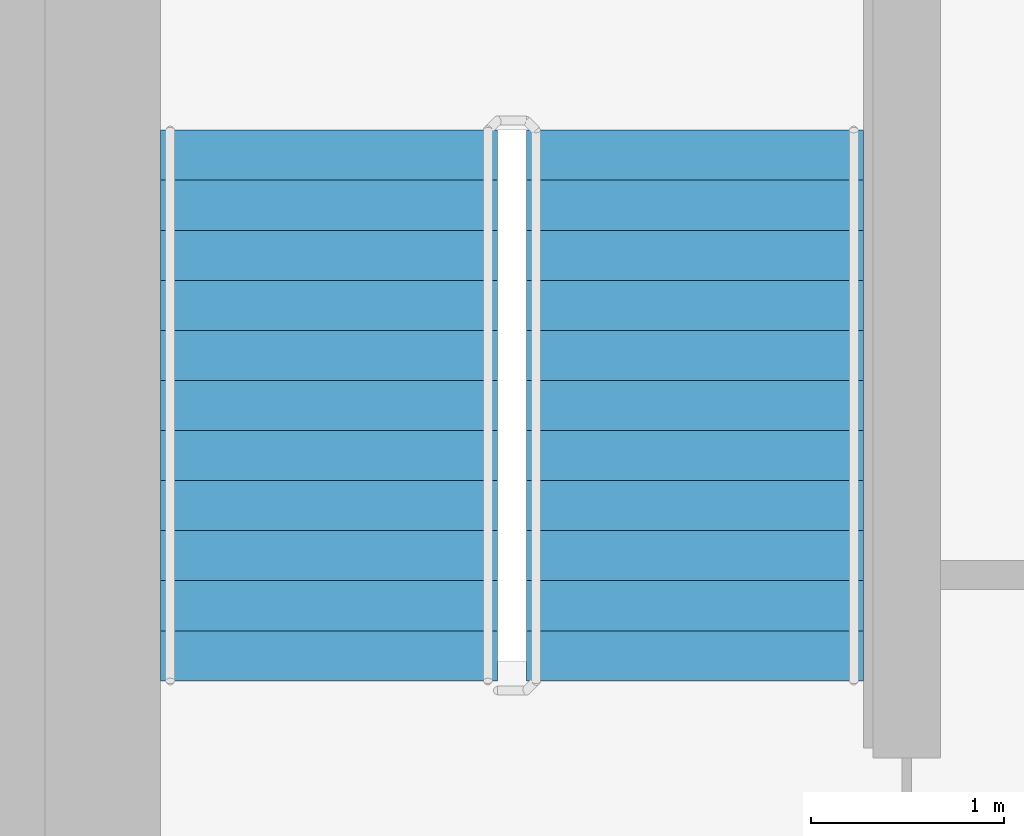
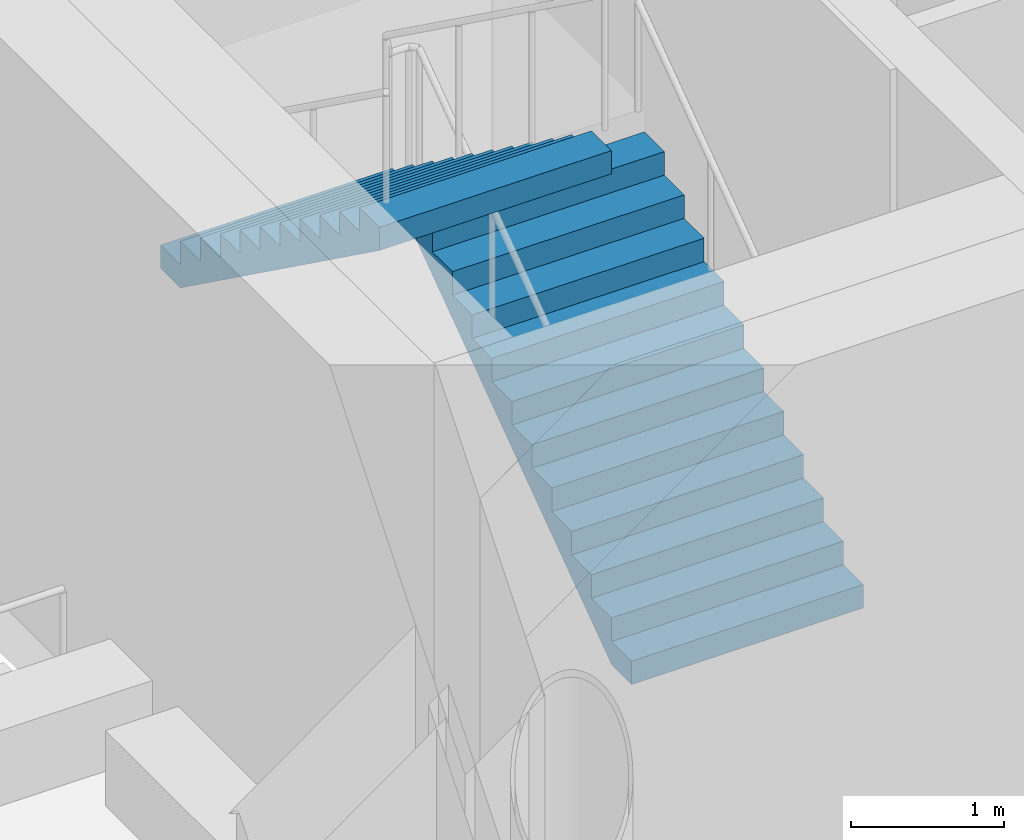
# One storey, part 15 of 19: 2 stair flights, 1 element without a shape of its own.
"""IFC4 building model written with IfcOpenShell, lengths in metres."""

import ifcopenshell
import ifcopenshell.guid

model = None  # the IFC model being written
_history = None  # IfcOwnerHistory: only IFC2X3 demands one
_inside = {}  # id of a spatial element -> (the spatial element, [elements in it])
_under = {}  # id of a project, library or spatial element -> (it, [spatial elements below it])
_declared = {}  # id of a project -> (the project, [libraries it declares])
_typed = {}  # id of a type object -> (the type object, [elements of that type])
_made_of = {}  # id of a material, layer set ... -> (it, [elements and type objects made of it])


def new_model(schema):
    """Start an empty IFC model of exactly this schema.

    Asked for "IFC4X3", IfcOpenShell would pick the latest addendum, in which some entities
    have other attributes; the version numbers below select the first issue.
    IFC2X3 requires an IfcOwnerHistory on every rooted entity: one is made here for all.
    """
    global model, _history
    if schema == "IFC4X3":
        model = ifcopenshell.file(schema_version=(4, 3, 0, 0))
    else:
        model = ifcopenshell.file(schema=schema)
    _inside.clear()
    _under.clear()
    _declared.clear()
    _typed.clear()
    _made_of.clear()
    _history = None
    if model.schema == "IFC2X3":
        org = make("IfcOrganization", Name="unknown")
        user = make(
            "IfcPersonAndOrganization",
            ThePerson=make("IfcPerson", FamilyName="unknown"),
            TheOrganization=org,
        )
        app = make(
            "IfcApplication",
            ApplicationDeveloper=org,
            Version="unknown",
            ApplicationFullName="unknown",
            ApplicationIdentifier="unknown",
        )
        _history = make(
            "IfcOwnerHistory",
            OwningUser=user,
            OwningApplication=app,
            ChangeAction="ADDED",
            CreationDate=0,
        )
    return model


def make(cls, **values):
    """One entity of the class cls with the attributes given. An attribute that is None is left unset."""
    return model.create_entity(
        cls, **{name: value for name, value in values.items() if value is not None}
    )


def rooted(cls, **values):
    """An entity with a GlobalId (a new one), such as an element, a storey or a relation."""
    return make(cls, GlobalId=ifcopenshell.guid.new(), OwnerHistory=_history, **values)


def si_unit(unit_type, name, prefix=None):
    """IfcSIUnit, for example si_unit("LENGTHUNIT", "METRE", prefix="MILLI")."""
    return make("IfcSIUnit", UnitType=unit_type, Prefix=prefix, Name=name)


def assignment(units):
    """IfcUnitAssignment: the units of a project."""
    return None if units is None else make("IfcUnitAssignment", Units=units)


def point(xyz):
    """IfcCartesianPoint."""
    return None if xyz is None else make("IfcCartesianPoint", Coordinates=xyz)


def direction(xyz):
    """IfcDirection."""
    return None if xyz is None else make("IfcDirection", DirectionRatios=xyz)


def frame(location, z_axis=None, x_axis=None):
    """IfcAxis2Placement3D, a coordinate frame: its origin and axes. An axis left out is left unset."""
    return make(
        "IfcAxis2Placement3D",
        Location=point(location),
        Axis=direction(z_axis),
        RefDirection=direction(x_axis),
    )


def origin():
    """The frame at (0, 0, 0) with its axes left unset."""
    return frame((0.0, 0.0, 0.0))


def place(relative_to, where):
    """IfcLocalPlacement: puts the frame where relative to a parent placement (None: the world)."""
    return make(
        "IfcLocalPlacement", PlacementRelTo=relative_to, RelativePlacement=where
    )


def context(
    kind, dimensions, precision=None, world=None, true_north=None, identifier=None
):
    """IfcGeometricRepresentationContext, for example the 3D "Model" context."""
    return make(
        "IfcGeometricRepresentationContext",
        ContextIdentifier=identifier,
        ContextType=kind,
        CoordinateSpaceDimension=dimensions,
        Precision=precision,
        WorldCoordinateSystem=world,
        TrueNorth=true_north,
    )


def subcontext(parent, identifier, kind, view, scale=None):
    """IfcGeometricRepresentationSubContext, for example "Body" below "Model"."""
    return make(
        "IfcGeometricRepresentationSubContext",
        ContextIdentifier=identifier,
        ContextType=kind,
        ParentContext=parent,
        TargetScale=scale,
        TargetView=view,
    )


def project(units=None, contexts=None):
    """IfcProject with its units and contexts."""
    return rooted(
        "IfcProject",
        Name="project",
        RepresentationContexts=contexts,
        UnitsInContext=assignment(units),
    )


def spatial(cls, under=None, at=None, **own):
    """A site, building, storey or space (cls), placed at a placement, below another one or the project."""
    s = rooted(cls, ObjectPlacement=at, **own)
    if under is not None:
        _under.setdefault(under.id(), (under, []))[1].append(s)
    return s


def faces_of(points, faces, orient=None, outer=None):
    """IfcFace entities. A face is a list of loops; a loop is a list of indices into points, from 0.

    orient and outer hold one flag for each loop. By default every Orientation is true, the
    first loop of a face is its IfcFaceOuterBound and the others are IfcFaceBound.
    """
    made = []
    for i, loops in enumerate(faces):
        bounds = []
        for j, loop in enumerate(loops):
            is_outer = j == 0 if outer is None else outer[i][j]
            bounds.append(
                make(
                    "IfcFaceOuterBound" if is_outer else "IfcFaceBound",
                    Bound=make("IfcPolyLoop", Polygon=[points[k] for k in loop]),
                    Orientation=True if orient is None else orient[i][j],
                )
            )
        made.append(make("IfcFace", Bounds=bounds))
    return made


def faceted_brep(points, faces, orient=None, outer=None, voids=None):
    """IfcFacetedBrep: a solid bounded by flat faces; with voids (closed shells), ...WithVoids."""
    shared = [point(p) for p in points]
    hull = make("IfcClosedShell", CfsFaces=faces_of(shared, faces, orient, outer))
    if voids is None:
        return make("IfcFacetedBrep", Outer=hull)
    return make(
        "IfcFacetedBrepWithVoids",
        Outer=hull,
        Voids=[
            make(cls, CfsFaces=faces_of(shared, fs, o, b)) for cls, fs, o, b in voids
        ],
    )


def shape(context_of_items, identifier, shape_type, items):
    """IfcShapeRepresentation: the items that make up one representation, for example the "Body"."""
    return make(
        "IfcShapeRepresentation",
        ContextOfItems=context_of_items,
        RepresentationIdentifier=identifier,
        RepresentationType=shape_type,
        Items=items,
    )


def material(Name=None, Category=None):
    """IfcMaterial."""
    return make("IfcMaterial", Name=Name, Category=Category)


def made_of(thing, what):
    """Note that an element or type object is made of a material, layer set ...; save() writes the relation."""
    if what is not None:
        _made_of.setdefault(what.id(), (what, []))[1].append(thing)
    return thing


def type_object(cls, material=None, **own):
    """A type object (cls), such as IfcWallType, which elements share."""
    return made_of(rooted(cls, **own), material)


def element(
    cls,
    number,
    at=None,
    inside=None,
    cuts=None,
    type_object=None,
    material=None,
    context=None,
    identifier="Body",
    shape_type=None,
    held_by="IfcProductDefinitionShape",
    body=None,
    shapes=None,
    **own,
):
    """One element of the class cls, such as IfcWall. Its Tag is "e" and its number.

    at: its placement. inside: the storey or other place that contains it. cuts: it is an
    opening in that element (IfcRelVoidsElement). A single representation is given by context,
    identifier, shape_type and body (its items); several are given by shapes. held_by: the class
    of the entity that holds the representations. save() writes the other relations.
    """
    e = rooted(cls, Tag="e%d" % number, ObjectPlacement=at, **own)
    if body is not None:
        shapes = [shape(context, identifier, shape_type, body)]
    if shapes is not None:
        e.Representation = make(held_by, Representations=shapes)
    if inside is not None:
        _inside.setdefault(inside.id(), (inside, []))[1].append(e)
    if cuts is not None:
        rooted(
            "IfcRelVoidsElement", RelatingBuildingElement=cuts, RelatedOpeningElement=e
        )
    if type_object is not None:
        _typed.setdefault(type_object.id(), (type_object, []))[1].append(e)
    return made_of(e, material)


def aggregate(whole, parts):
    """IfcRelAggregates: a whole, such as a stair, and the parts it consists of."""
    return rooted("IfcRelAggregates", RelatingObject=whole, RelatedObjects=parts)


def save(model, path):
    """Write the relations noted so far, then the file.

    IfcRelAggregates (storeys below a building ...), IfcRelContainedInSpatialStructure (elements
    in a storey), IfcRelDefinesByType, IfcRelAssociatesMaterial and IfcRelDeclares: one each for
    every whole, place, type object, material and project.
    """
    for whole, parts in _under.values():
        aggregate(whole, parts)
    for where, things in _inside.values():
        rooted(
            "IfcRelContainedInSpatialStructure",
            RelatedElements=things,
            RelatingStructure=where,
        )
    for kind, things in _typed.values():
        rooted("IfcRelDefinesByType", RelatedObjects=things, RelatingType=kind)
    for what, things in _made_of.values():
        rooted("IfcRelAssociatesMaterial", RelatedObjects=things, RelatingMaterial=what)
    for by, libraries in _declared.values():
        rooted("IfcRelDeclares", RelatingContext=by, RelatedDefinitions=libraries)
    model.write(path)


model = new_model("IFC4")

# Units and contexts
model_context = context("Model", 3, precision=1e-05, world=origin(), true_north=direction((0.0, 1.0)))
body_context = subcontext(model_context, "Body", "Model", "MODEL_VIEW")
ifc_project = project(units=[si_unit("LENGTHUNIT", "METRE"), si_unit("AREAUNIT", "SQUARE_METRE"), si_unit("VOLUMEUNIT", "CUBIC_METRE"), si_unit("PLANEANGLEUNIT", "RADIAN"), si_unit("MASSUNIT", "GRAM", prefix="KILO")], contexts=[model_context])

# Site, building, storey
site_placement = place(None, origin())
site = spatial("IfcSite", under=ifc_project, at=site_placement, CompositionType="ELEMENT")
building_placement = place(site_placement, origin())
building = spatial("IfcBuilding", under=site, at=building_placement, Name="Ipe Terrace Towers", CompositionType="ELEMENT")
storey_placement = place(building_placement, frame((0.0, 0.0, 237.89990234375)))
storey = spatial("IfcBuildingStorey", under=building, at=storey_placement, Name="L66", CompositionType="ELEMENT", Elevation=237.89990234375)

# Stair, stair flights
ifc_material_1 = material(Name="Concrete C30/37", Category="concrete")
stair_type = type_object("IfcStairType", Name="Protected exit stair", PredefinedType="HALF_TURN_STAIR", material=ifc_material_1)
stair_placement = place(storey_placement, origin())
stair = element("IfcStair", 1, at=stair_placement, inside=storey, type_object=stair_type, Name="L66 Exit stair T2-C1", PredefinedType="HALF_TURN_STAIR")
ifc_material_2 = material(Name="Concrete C30/37", Category="concrete")
stair_flight_type = type_object("IfcStairFlightType", Name="Exit stair flight 1750", PredefinedType="STRAIGHT", material=ifc_material_2)
stair_flight_1_placement = place(storey_placement, frame((33.22509765625, 9.699951171875, 0.0), z_axis=(0.0, 0.0, 1.0), x_axis=(0.0, 1.0, 0.0)))
stair_flight_1 = element("IfcStairFlight", 2, at=stair_flight_1_placement, type_object=stair_flight_type, Name="T2-ST1 flight 1", NumberOfRisers=12, NumberOfTreads=11, PredefinedType="STRAIGHT", RiserHeight=0.1875, TreadLength=0.26, context=body_context, shape_type="Brep", body=[
    faceted_brep([(0.25634765625, -0.875, 0.0), (2.860107421875, -0.875, 1.877685546875), (2.860107421875, -0.875, 2.0625), (2.60009765625, -0.875, 2.0625), (2.60009765625, -0.875, 1.875), (2.340087890625, -0.875, 1.875), (2.340087890625, -0.875, 1.6875), (2.080078125, -0.875, 1.6875), (2.080078125, -0.875, 1.5), (1.820068359375, -0.875, 1.5), (1.820068359375, -0.875, 1.3125), (1.56005859375, -0.875, 1.3125), (1.56005859375, -0.875, 1.125), (1.300048828125, -0.875, 1.125), (1.300048828125, -0.875, 0.9375), (1.0400390625, -0.875, 0.9375), (1.0400390625, -0.875, 0.75), (0.780029296875, -0.875, 0.75), (0.780029296875, -0.875, 0.5625), (0.52001953125, -0.875, 0.5625), (0.52001953125, -0.875, 0.375), (0.260009765625, -0.875, 0.375), (0.260009765625, -0.875, 0.1875), (0.0, -0.875, 0.1875), (0.0, -0.875, 0.0), (0.0, 0.875, 0.0), (0.0, 0.875, 0.1875), (0.260009765625, 0.875, 0.1875), (0.260009765625, 0.875, 0.375), (0.52001953125, 0.875, 0.375), (0.52001953125, 0.875, 0.5625), (0.780029296875, 0.875, 0.5625), (0.780029296875, 0.875, 0.75), (1.0400390625, 0.875, 0.75), (1.0400390625, 0.875, 0.9375), (1.300048828125, 0.875, 0.9375), (1.300048828125, 0.875, 1.125), (1.56005859375, 0.875, 1.125), (1.56005859375, 0.875, 1.3125), (1.820068359375, 0.875, 1.3125), (1.820068359375, 0.875, 1.5), (2.080078125, 0.875, 1.5), (2.080078125, 0.875, 1.6875), (2.340087890625, 0.875, 1.6875), (2.340087890625, 0.875, 1.875), (2.60009765625, 0.875, 1.875), (2.60009765625, 0.875, 2.0625), (2.860107421875, 0.875, 2.0625), (2.860107421875, 0.875, 1.877685546875), (0.25634765625, 0.875, 0.0), (0.0, -0.300048828125, 0.1875), (0.0, -0.1201171875, 0.1875), (0.0, -0.06005859375, 0.1875), (0.0, -0.030029296875, 0.1875), (0.0, -0.010009765625, 0.1875), (0.0, 0.0, 0.1875), (0.0, 0.010009765625, 0.1875), (0.0, 0.030029296875, 0.1875), (0.0, 0.06005859375, 0.1875), (0.0, 0.1201171875, 0.1875), (0.0, 0.300048828125, 0.1875), (0.0, 0.300048828125, 0.0), (0.0, 0.1201171875, 0.0), (0.0, 0.06005859375, 0.0), (0.0, 0.030029296875, 0.0), (0.0, 0.010009765625, 0.0), (0.0, 0.0, 0.0), (0.0, -0.010009765625, 0.0), (0.0, -0.030029296875, 0.0), (0.0, -0.06005859375, 0.0), (0.0, -0.1201171875, 0.0), (0.0, -0.300048828125, 0.0), (0.260009765625, -0.300048828125, 0.1875), (0.260009765625, -0.1201171875, 0.1875), (0.260009765625, -0.06005859375, 0.1875), (0.260009765625, -0.030029296875, 0.1875), (0.260009765625, -0.010009765625, 0.1875), (0.260009765625, 0.0, 0.1875), (0.260009765625, 0.010009765625, 0.1875), (0.260009765625, 0.030029296875, 0.1875), (0.260009765625, 0.06005859375, 0.1875), (0.260009765625, 0.1201171875, 0.1875), (0.260009765625, 0.300048828125, 0.1875), (0.260009765625, -0.300048828125, 0.375), (0.260009765625, -0.1201171875, 0.375), (0.260009765625, -0.06005859375, 0.375), (0.260009765625, -0.030029296875, 0.375), (0.260009765625, -0.010009765625, 0.375), (0.260009765625, 0.0, 0.375), (0.260009765625, 0.010009765625, 0.375), (0.260009765625, 0.030029296875, 0.375), (0.260009765625, 0.06005859375, 0.375), (0.260009765625, 0.1201171875, 0.375), (0.260009765625, 0.300048828125, 0.375), (0.52001953125, -0.300048828125, 0.375), (0.52001953125, -0.1201171875, 0.375), (0.52001953125, -0.06005859375, 0.375), (0.52001953125, -0.030029296875, 0.375), (0.52001953125, -0.010009765625, 0.375), (0.52001953125, 0.0, 0.375), (0.52001953125, 0.010009765625, 0.375), (0.52001953125, 0.030029296875, 0.375), (0.52001953125, 0.06005859375, 0.375), (0.52001953125, 0.1201171875, 0.375), (0.52001953125, 0.300048828125, 0.375), (0.52001953125, -0.300048828125, 0.5625), (0.52001953125, -0.1201171875, 0.5625), (0.52001953125, -0.06005859375, 0.5625), (0.52001953125, -0.030029296875, 0.5625), (0.52001953125, -0.010009765625, 0.5625), (0.52001953125, 0.0, 0.5625), (0.52001953125, 0.010009765625, 0.5625), (0.52001953125, 0.030029296875, 0.5625), (0.52001953125, 0.06005859375, 0.5625), (0.52001953125, 0.1201171875, 0.5625), (0.52001953125, 0.300048828125, 0.5625), (0.780029296875, -0.300048828125, 0.5625), (0.780029296875, -0.1201171875, 0.5625), (0.780029296875, -0.06005859375, 0.5625), (0.780029296875, -0.030029296875, 0.5625), (0.780029296875, -0.010009765625, 0.5625), (0.780029296875, 0.0, 0.5625), (0.780029296875, 0.010009765625, 0.5625), (0.780029296875, 0.030029296875, 0.5625), (0.780029296875, 0.06005859375, 0.5625), (0.780029296875, 0.1201171875, 0.5625), (0.780029296875, 0.300048828125, 0.5625), (0.780029296875, -0.300048828125, 0.75), (0.780029296875, -0.1201171875, 0.75), (0.780029296875, -0.06005859375, 0.75), (0.780029296875, -0.030029296875, 0.75), (0.780029296875, -0.010009765625, 0.75), (0.780029296875, 0.0, 0.75), (0.780029296875, 0.010009765625, 0.75), (0.780029296875, 0.030029296875, 0.75), (0.780029296875, 0.06005859375, 0.75), (0.780029296875, 0.1201171875, 0.75), (0.780029296875, 0.300048828125, 0.75), (1.0400390625, -0.300048828125, 0.75), (1.0400390625, -0.1201171875, 0.75), (1.0400390625, -0.06005859375, 0.75), (1.0400390625, -0.030029296875, 0.75), (1.0400390625, -0.010009765625, 0.75), (1.0400390625, 0.0, 0.75), (1.0400390625, 0.010009765625, 0.75), (1.0400390625, 0.030029296875, 0.75), (1.0400390625, 0.06005859375, 0.75), (1.0400390625, 0.1201171875, 0.75), (1.0400390625, 0.300048828125, 0.75), (1.0400390625, -0.300048828125, 0.9375), (1.0400390625, -0.1201171875, 0.9375), (1.0400390625, -0.06005859375, 0.9375), (1.0400390625, -0.030029296875, 0.9375), (1.0400390625, -0.010009765625, 0.9375), (1.0400390625, 0.0, 0.9375), (1.0400390625, 0.010009765625, 0.9375), (1.0400390625, 0.030029296875, 0.9375), (1.0400390625, 0.06005859375, 0.9375), (1.0400390625, 0.1201171875, 0.9375), (1.0400390625, 0.300048828125, 0.9375), (1.300048828125, -0.300048828125, 0.9375), (1.300048828125, -0.1201171875, 0.9375), (1.300048828125, -0.06005859375, 0.9375), (1.300048828125, -0.030029296875, 0.9375), (1.300048828125, -0.010009765625, 0.9375), (1.300048828125, 0.0, 0.9375), (1.300048828125, 0.010009765625, 0.9375), (1.300048828125, 0.030029296875, 0.9375), (1.300048828125, 0.06005859375, 0.9375), (1.300048828125, 0.1201171875, 0.9375), (1.300048828125, 0.300048828125, 0.9375), (1.300048828125, -0.300048828125, 1.125), (1.300048828125, -0.1201171875, 1.125), (1.300048828125, -0.06005859375, 1.125), (1.300048828125, -0.030029296875, 1.125), (1.300048828125, -0.010009765625, 1.125), (1.300048828125, 0.0, 1.125), (1.300048828125, 0.010009765625, 1.125), (1.300048828125, 0.030029296875, 1.125), (1.300048828125, 0.06005859375, 1.125), (1.300048828125, 0.1201171875, 1.125), (1.300048828125, 0.300048828125, 1.125), (1.56005859375, -0.300048828125, 1.125), (1.56005859375, -0.1201171875, 1.125), (1.56005859375, -0.06005859375, 1.125), (1.56005859375, -0.030029296875, 1.125), (1.56005859375, -0.010009765625, 1.125), (1.56005859375, 0.0, 1.125), (1.56005859375, 0.010009765625, 1.125), (1.56005859375, 0.030029296875, 1.125), (1.56005859375, 0.06005859375, 1.125), (1.56005859375, 0.1201171875, 1.125), (1.56005859375, 0.300048828125, 1.125), (1.56005859375, -0.300048828125, 1.3125), (1.56005859375, -0.1201171875, 1.3125), (1.56005859375, -0.06005859375, 1.3125), (1.56005859375, -0.030029296875, 1.3125), (1.56005859375, -0.010009765625, 1.3125), (1.56005859375, 0.0, 1.3125), (1.56005859375, 0.010009765625, 1.3125), (1.56005859375, 0.030029296875, 1.3125), (1.56005859375, 0.06005859375, 1.3125), (1.56005859375, 0.1201171875, 1.3125), (1.56005859375, 0.300048828125, 1.3125), (1.820068359375, -0.300048828125, 1.3125), (1.820068359375, -0.1201171875, 1.3125), (1.820068359375, -0.06005859375, 1.3125), (1.820068359375, -0.030029296875, 1.3125), (1.820068359375, -0.010009765625, 1.3125), (1.820068359375, 0.0, 1.3125), (1.820068359375, 0.010009765625, 1.3125), (1.820068359375, 0.030029296875, 1.3125), (1.820068359375, 0.06005859375, 1.3125), (1.820068359375, 0.1201171875, 1.3125), (1.820068359375, 0.300048828125, 1.3125), (1.820068359375, -0.300048828125, 1.5), (1.820068359375, -0.1201171875, 1.5), (1.820068359375, -0.06005859375, 1.5), (1.820068359375, -0.030029296875, 1.5), (1.820068359375, -0.010009765625, 1.5), (1.820068359375, 0.0, 1.5), (1.820068359375, 0.010009765625, 1.5), (1.820068359375, 0.030029296875, 1.5), (1.820068359375, 0.06005859375, 1.5), (1.820068359375, 0.1201171875, 1.5), (1.820068359375, 0.300048828125, 1.5), (2.080078125, -0.300048828125, 1.5), (2.080078125, -0.1201171875, 1.5), (2.080078125, -0.06005859375, 1.5), (2.080078125, -0.030029296875, 1.5), (2.080078125, -0.010009765625, 1.5), (2.080078125, 0.0, 1.5), (2.080078125, 0.010009765625, 1.5), (2.080078125, 0.030029296875, 1.5), (2.080078125, 0.06005859375, 1.5), (2.080078125, 0.1201171875, 1.5), (2.080078125, 0.300048828125, 1.5), (2.080078125, -0.300048828125, 1.6875), (2.080078125, -0.1201171875, 1.6875), (2.080078125, -0.06005859375, 1.6875), (2.080078125, -0.030029296875, 1.6875), (2.080078125, -0.010009765625, 1.6875), (2.080078125, 0.0, 1.6875), (2.080078125, 0.010009765625, 1.6875), (2.080078125, 0.030029296875, 1.6875), (2.080078125, 0.06005859375, 1.6875), (2.080078125, 0.1201171875, 1.6875), (2.080078125, 0.300048828125, 1.6875), (2.340087890625, -0.300048828125, 1.6875), (2.340087890625, -0.1201171875, 1.6875), (2.340087890625, -0.06005859375, 1.6875), (2.340087890625, -0.030029296875, 1.6875), (2.340087890625, -0.010009765625, 1.6875), (2.340087890625, 0.0, 1.6875), (2.340087890625, 0.010009765625, 1.6875), (2.340087890625, 0.030029296875, 1.6875), (2.340087890625, 0.06005859375, 1.6875), (2.340087890625, 0.1201171875, 1.6875), (2.340087890625, 0.300048828125, 1.6875), (2.340087890625, -0.300048828125, 1.875), (2.340087890625, -0.1201171875, 1.875), (2.340087890625, -0.06005859375, 1.875), (2.340087890625, -0.030029296875, 1.875), (2.340087890625, -0.010009765625, 1.875), (2.340087890625, 0.0, 1.875), (2.340087890625, 0.010009765625, 1.875), (2.340087890625, 0.030029296875, 1.875), (2.340087890625, 0.06005859375, 1.875), (2.340087890625, 0.1201171875, 1.875), (2.340087890625, 0.300048828125, 1.875), (2.60009765625, -0.300048828125, 1.875), (2.60009765625, -0.1201171875, 1.875), (2.60009765625, -0.06005859375, 1.875), (2.60009765625, -0.030029296875, 1.875), (2.60009765625, -0.010009765625, 1.875), (2.60009765625, 0.0, 1.875), (2.60009765625, 0.010009765625, 1.875), (2.60009765625, 0.030029296875, 1.875), (2.60009765625, 0.06005859375, 1.875), (2.60009765625, 0.1201171875, 1.875), (2.60009765625, 0.300048828125, 1.875), (2.60009765625, -0.300048828125, 2.0625), (2.60009765625, -0.1201171875, 2.0625), (2.60009765625, -0.06005859375, 2.0625), (2.60009765625, -0.030029296875, 2.0625), (2.60009765625, -0.010009765625, 2.0625), (2.60009765625, 0.0, 2.0625), (2.60009765625, 0.010009765625, 2.0625), (2.60009765625, 0.030029296875, 2.0625), (2.60009765625, 0.06005859375, 2.0625), (2.60009765625, 0.1201171875, 2.0625), (2.60009765625, 0.300048828125, 2.0625), (2.860107421875, -0.300048828125, 2.0625), (2.860107421875, -0.1201171875, 2.0625), (2.860107421875, -0.06005859375, 2.0625), (2.860107421875, -0.030029296875, 2.0625), (2.860107421875, -0.010009765625, 2.0625), (2.860107421875, 0.0, 2.0625), (2.860107421875, 0.010009765625, 2.0625), (2.860107421875, 0.030029296875, 2.0625), (2.860107421875, 0.06005859375, 2.0625), (2.860107421875, 0.1201171875, 2.0625), (2.860107421875, 0.300048828125, 2.0625), (2.860107421875, -0.300048828125, 1.877685546875), (2.860107421875, -0.1201171875, 1.877685546875), (2.860107421875, -0.06005859375, 1.877685546875), (2.860107421875, -0.030029296875, 1.877685546875), (2.860107421875, -0.010009765625, 1.877685546875), (2.860107421875, 0.0, 1.877685546875), (2.860107421875, 0.010009765625, 1.877685546875), (2.860107421875, 0.030029296875, 1.877685546875), (2.860107421875, 0.06005859375, 1.877685546875), (2.860107421875, 0.1201171875, 1.877685546875), (2.860107421875, 0.300048828125, 1.877685546875), (0.25634765625, -0.300048828125, 0.0), (0.25634765625, -0.1201171875, 0.0), (0.25634765625, -0.06005859375, 0.0), (0.25634765625, -0.030029296875, 0.0), (0.25634765625, -0.010009765625, 0.0), (0.25634765625, 0.0, 0.0), (0.25634765625, 0.010009765625, 0.0), (0.25634765625, 0.030029296875, 0.0), (0.25634765625, 0.06005859375, 0.0), (0.25634765625, 0.1201171875, 0.0), (0.25634765625, 0.300048828125, 0.0)], [[[0, 1, 2, 3, 4, 5, 6, 7, 8, 9, 10, 11, 12, 13, 14, 15, 16, 17, 18, 19, 20, 21, 22, 23, 24]], [[25, 26, 27, 28, 29, 30, 31, 32, 33, 34, 35, 36, 37, 38, 39, 40, 41, 42, 43, 44, 45, 46, 47, 48, 49]], [[23, 50, 51, 52, 53, 54, 55, 56, 57, 58, 59, 60, 26, 25, 61, 62, 63, 64, 65, 66, 67, 68, 69, 70, 71, 24]], [[22, 72, 73, 74, 75, 76, 77, 78, 79, 80, 81, 82, 27, 26, 60, 59, 58, 57, 56, 55, 54, 53, 52, 51, 50, 23]], [[21, 83, 84, 85, 86, 87, 88, 89, 90, 91, 92, 93, 28, 27, 82, 81, 80, 79, 78, 77, 76, 75, 74, 73, 72, 22]], [[20, 94, 95, 96, 97, 98, 99, 100, 101, 102, 103, 104, 29, 28, 93, 92, 91, 90, 89, 88, 87, 86, 85, 84, 83, 21]], [[19, 105, 106, 107, 108, 109, 110, 111, 112, 113, 114, 115, 30, 29, 104, 103, 102, 101, 100, 99, 98, 97, 96, 95, 94, 20]], [[18, 116, 117, 118, 119, 120, 121, 122, 123, 124, 125, 126, 31, 30, 115, 114, 113, 112, 111, 110, 109, 108, 107, 106, 105, 19]], [[17, 127, 128, 129, 130, 131, 132, 133, 134, 135, 136, 137, 32, 31, 126, 125, 124, 123, 122, 121, 120, 119, 118, 117, 116, 18]], [[16, 138, 139, 140, 141, 142, 143, 144, 145, 146, 147, 148, 33, 32, 137, 136, 135, 134, 133, 132, 131, 130, 129, 128, 127, 17]], [[15, 149, 150, 151, 152, 153, 154, 155, 156, 157, 158, 159, 34, 33, 148, 147, 146, 145, 144, 143, 142, 141, 140, 139, 138, 16]], [[14, 160, 161, 162, 163, 164, 165, 166, 167, 168, 169, 170, 35, 34, 159, 158, 157, 156, 155, 154, 153, 152, 151, 150, 149, 15]], [[13, 171, 172, 173, 174, 175, 176, 177, 178, 179, 180, 181, 36, 35, 170, 169, 168, 167, 166, 165, 164, 163, 162, 161, 160, 14]], [[12, 182, 183, 184, 185, 186, 187, 188, 189, 190, 191, 192, 37, 36, 181, 180, 179, 178, 177, 176, 175, 174, 173, 172, 171, 13]], [[11, 193, 194, 195, 196, 197, 198, 199, 200, 201, 202, 203, 38, 37, 192, 191, 190, 189, 188, 187, 186, 185, 184, 183, 182, 12]], [[10, 204, 205, 206, 207, 208, 209, 210, 211, 212, 213, 214, 39, 38, 203, 202, 201, 200, 199, 198, 197, 196, 195, 194, 193, 11]], [[9, 215, 216, 217, 218, 219, 220, 221, 222, 223, 224, 225, 40, 39, 214, 213, 212, 211, 210, 209, 208, 207, 206, 205, 204, 10]], [[8, 226, 227, 228, 229, 230, 231, 232, 233, 234, 235, 236, 41, 40, 225, 224, 223, 222, 221, 220, 219, 218, 217, 216, 215, 9]], [[7, 237, 238, 239, 240, 241, 242, 243, 244, 245, 246, 247, 42, 41, 236, 235, 234, 233, 232, 231, 230, 229, 228, 227, 226, 8]], [[6, 248, 249, 250, 251, 252, 253, 254, 255, 256, 257, 258, 43, 42, 247, 246, 245, 244, 243, 242, 241, 240, 239, 238, 237, 7]], [[5, 259, 260, 261, 262, 263, 264, 265, 266, 267, 268, 269, 44, 43, 258, 257, 256, 255, 254, 253, 252, 251, 250, 249, 248, 6]], [[4, 270, 271, 272, 273, 274, 275, 276, 277, 278, 279, 280, 45, 44, 269, 268, 267, 266, 265, 264, 263, 262, 261, 260, 259, 5]], [[3, 281, 282, 283, 284, 285, 286, 287, 288, 289, 290, 291, 46, 45, 280, 279, 278, 277, 276, 275, 274, 273, 272, 271, 270, 4]], [[2, 292, 293, 294, 295, 296, 297, 298, 299, 300, 301, 302, 47, 46, 291, 290, 289, 288, 287, 286, 285, 284, 283, 282, 281, 3]], [[1, 303, 304, 305, 306, 307, 308, 309, 310, 311, 312, 313, 48, 47, 302, 301, 300, 299, 298, 297, 296, 295, 294, 293, 292, 2]], [[0, 314, 315, 316, 317, 318, 319, 320, 321, 322, 323, 324, 49, 48, 313, 312, 311, 310, 309, 308, 307, 306, 305, 304, 303, 1]], [[24, 71, 70, 69, 68, 67, 66, 65, 64, 63, 62, 61, 25, 49, 324, 323, 322, 321, 320, 319, 318, 317, 316, 315, 314, 0]]]),
])
stair_flight_2_placement = place(storey_placement, frame((31.324951171875, 12.56005859375, 2.25), z_axis=(0.0, 0.0, 1.0), x_axis=(0.0, -1.0, 0.0)))
stair_flight_2 = element("IfcStairFlight", 3, at=stair_flight_2_placement, type_object=stair_flight_type, Name="T2-ST1 flight 2", NumberOfRisers=12, NumberOfTreads=11, PredefinedType="STRAIGHT", RiserHeight=0.1875, TreadLength=0.26, context=body_context, shape_type="Brep", body=[
    faceted_brep([(0.25634765625, -0.875, 0.0), (2.860107421875, -0.875, 1.877685546875), (2.860107421875, -0.875, 2.0625), (2.60009765625, -0.875, 2.0625), (2.60009765625, -0.875, 1.875), (2.340087890625, -0.875, 1.875), (2.340087890625, -0.875, 1.6875), (2.080078125, -0.875, 1.6875), (2.080078125, -0.875, 1.5), (1.820068359375, -0.875, 1.5), (1.820068359375, -0.875, 1.3125), (1.56005859375, -0.875, 1.3125), (1.56005859375, -0.875, 1.125), (1.300048828125, -0.875, 1.125), (1.300048828125, -0.875, 0.9375), (1.0400390625, -0.875, 0.9375), (1.0400390625, -0.875, 0.75), (0.780029296875, -0.875, 0.75), (0.780029296875, -0.875, 0.5625), (0.52001953125, -0.875, 0.5625), (0.52001953125, -0.875, 0.375), (0.260009765625, -0.875, 0.375), (0.260009765625, -0.875, 0.1875), (0.0, -0.875, 0.1875), (0.0, -0.875, 0.0), (0.0, 0.875, 0.0), (0.0, 0.875, 0.1875), (0.260009765625, 0.875, 0.1875), (0.260009765625, 0.875, 0.375), (0.52001953125, 0.875, 0.375), (0.52001953125, 0.875, 0.5625), (0.780029296875, 0.875, 0.5625), (0.780029296875, 0.875, 0.75), (1.0400390625, 0.875, 0.75), (1.0400390625, 0.875, 0.9375), (1.300048828125, 0.875, 0.9375), (1.300048828125, 0.875, 1.125), (1.56005859375, 0.875, 1.125), (1.56005859375, 0.875, 1.3125), (1.820068359375, 0.875, 1.3125), (1.820068359375, 0.875, 1.5), (2.080078125, 0.875, 1.5), (2.080078125, 0.875, 1.6875), (2.340087890625, 0.875, 1.6875), (2.340087890625, 0.875, 1.875), (2.60009765625, 0.875, 1.875), (2.60009765625, 0.875, 2.0625), (2.860107421875, 0.875, 2.0625), (2.860107421875, 0.875, 1.877685546875), (0.25634765625, 0.875, 0.0), (0.0, -0.300048828125, 0.1875), (0.0, -0.1201171875, 0.1875), (0.0, -0.06005859375, 0.1875), (0.0, -0.030029296875, 0.1875), (0.0, -0.010009765625, 0.1875), (0.0, 0.0, 0.1875), (0.0, 0.010009765625, 0.1875), (0.0, 0.030029296875, 0.1875), (0.0, 0.06005859375, 0.1875), (0.0, 0.1201171875, 0.1875), (0.0, 0.300048828125, 0.1875), (0.0, 0.300048828125, 0.0), (0.0, 0.1201171875, 0.0), (0.0, 0.06005859375, 0.0), (0.0, 0.030029296875, 0.0), (0.0, 0.010009765625, 0.0), (0.0, 0.0, 0.0), (0.0, -0.010009765625, 0.0), (0.0, -0.030029296875, 0.0), (0.0, -0.06005859375, 0.0), (0.0, -0.1201171875, 0.0), (0.0, -0.300048828125, 0.0), (0.260009765625, -0.300048828125, 0.1875), (0.260009765625, -0.1201171875, 0.1875), (0.260009765625, -0.06005859375, 0.1875), (0.260009765625, -0.030029296875, 0.1875), (0.260009765625, -0.010009765625, 0.1875), (0.260009765625, 0.0, 0.1875), (0.260009765625, 0.010009765625, 0.1875), (0.260009765625, 0.030029296875, 0.1875), (0.260009765625, 0.06005859375, 0.1875), (0.260009765625, 0.1201171875, 0.1875), (0.260009765625, 0.300048828125, 0.1875), (0.260009765625, -0.300048828125, 0.375), (0.260009765625, -0.1201171875, 0.375), (0.260009765625, -0.06005859375, 0.375), (0.260009765625, -0.030029296875, 0.375), (0.260009765625, -0.010009765625, 0.375), (0.260009765625, 0.0, 0.375), (0.260009765625, 0.010009765625, 0.375), (0.260009765625, 0.030029296875, 0.375), (0.260009765625, 0.06005859375, 0.375), (0.260009765625, 0.1201171875, 0.375), (0.260009765625, 0.300048828125, 0.375), (0.52001953125, -0.300048828125, 0.375), (0.52001953125, -0.1201171875, 0.375), (0.52001953125, -0.06005859375, 0.375), (0.52001953125, -0.030029296875, 0.375), (0.52001953125, -0.010009765625, 0.375), (0.52001953125, 0.0, 0.375), (0.52001953125, 0.010009765625, 0.375), (0.52001953125, 0.030029296875, 0.375), (0.52001953125, 0.06005859375, 0.375), (0.52001953125, 0.1201171875, 0.375), (0.52001953125, 0.300048828125, 0.375), (0.52001953125, -0.300048828125, 0.5625), (0.52001953125, -0.1201171875, 0.5625), (0.52001953125, -0.06005859375, 0.5625), (0.52001953125, -0.030029296875, 0.5625), (0.52001953125, -0.010009765625, 0.5625), (0.52001953125, 0.0, 0.5625), (0.52001953125, 0.010009765625, 0.5625), (0.52001953125, 0.030029296875, 0.5625), (0.52001953125, 0.06005859375, 0.5625), (0.52001953125, 0.1201171875, 0.5625), (0.52001953125, 0.300048828125, 0.5625), (0.780029296875, -0.300048828125, 0.5625), (0.780029296875, -0.1201171875, 0.5625), (0.780029296875, -0.06005859375, 0.5625), (0.780029296875, -0.030029296875, 0.5625), (0.780029296875, -0.010009765625, 0.5625), (0.780029296875, 0.0, 0.5625), (0.780029296875, 0.010009765625, 0.5625), (0.780029296875, 0.030029296875, 0.5625), (0.780029296875, 0.06005859375, 0.5625), (0.780029296875, 0.1201171875, 0.5625), (0.780029296875, 0.300048828125, 0.5625), (0.780029296875, -0.300048828125, 0.75), (0.780029296875, -0.1201171875, 0.75), (0.780029296875, -0.06005859375, 0.75), (0.780029296875, -0.030029296875, 0.75), (0.780029296875, -0.010009765625, 0.75), (0.780029296875, 0.0, 0.75), (0.780029296875, 0.010009765625, 0.75), (0.780029296875, 0.030029296875, 0.75), (0.780029296875, 0.06005859375, 0.75), (0.780029296875, 0.1201171875, 0.75), (0.780029296875, 0.300048828125, 0.75), (1.0400390625, -0.300048828125, 0.75), (1.0400390625, -0.1201171875, 0.75), (1.0400390625, -0.06005859375, 0.75), (1.0400390625, -0.030029296875, 0.75), (1.0400390625, -0.010009765625, 0.75), (1.0400390625, 0.0, 0.75), (1.0400390625, 0.010009765625, 0.75), (1.0400390625, 0.030029296875, 0.75), (1.0400390625, 0.06005859375, 0.75), (1.0400390625, 0.1201171875, 0.75), (1.0400390625, 0.300048828125, 0.75), (1.0400390625, -0.300048828125, 0.9375), (1.0400390625, -0.1201171875, 0.9375), (1.0400390625, -0.06005859375, 0.9375), (1.0400390625, -0.030029296875, 0.9375), (1.0400390625, -0.010009765625, 0.9375), (1.0400390625, 0.0, 0.9375), (1.0400390625, 0.010009765625, 0.9375), (1.0400390625, 0.030029296875, 0.9375), (1.0400390625, 0.06005859375, 0.9375), (1.0400390625, 0.1201171875, 0.9375), (1.0400390625, 0.300048828125, 0.9375), (1.300048828125, -0.300048828125, 0.9375), (1.300048828125, -0.1201171875, 0.9375), (1.300048828125, -0.06005859375, 0.9375), (1.300048828125, -0.030029296875, 0.9375), (1.300048828125, -0.010009765625, 0.9375), (1.300048828125, 0.0, 0.9375), (1.300048828125, 0.010009765625, 0.9375), (1.300048828125, 0.030029296875, 0.9375), (1.300048828125, 0.06005859375, 0.9375), (1.300048828125, 0.1201171875, 0.9375), (1.300048828125, 0.300048828125, 0.9375), (1.300048828125, -0.300048828125, 1.125), (1.300048828125, -0.1201171875, 1.125), (1.300048828125, -0.06005859375, 1.125), (1.300048828125, -0.030029296875, 1.125), (1.300048828125, -0.010009765625, 1.125), (1.300048828125, 0.0, 1.125), (1.300048828125, 0.010009765625, 1.125), (1.300048828125, 0.030029296875, 1.125), (1.300048828125, 0.06005859375, 1.125), (1.300048828125, 0.1201171875, 1.125), (1.300048828125, 0.300048828125, 1.125), (1.56005859375, -0.300048828125, 1.125), (1.56005859375, -0.1201171875, 1.125), (1.56005859375, -0.06005859375, 1.125), (1.56005859375, -0.030029296875, 1.125), (1.56005859375, -0.010009765625, 1.125), (1.56005859375, 0.0, 1.125), (1.56005859375, 0.010009765625, 1.125), (1.56005859375, 0.030029296875, 1.125), (1.56005859375, 0.06005859375, 1.125), (1.56005859375, 0.1201171875, 1.125), (1.56005859375, 0.300048828125, 1.125), (1.56005859375, -0.300048828125, 1.3125), (1.56005859375, -0.1201171875, 1.3125), (1.56005859375, -0.06005859375, 1.3125), (1.56005859375, -0.030029296875, 1.3125), (1.56005859375, -0.010009765625, 1.3125), (1.56005859375, 0.0, 1.3125), (1.56005859375, 0.010009765625, 1.3125), (1.56005859375, 0.030029296875, 1.3125), (1.56005859375, 0.06005859375, 1.3125), (1.56005859375, 0.1201171875, 1.3125), (1.56005859375, 0.300048828125, 1.3125), (1.820068359375, -0.300048828125, 1.3125), (1.820068359375, -0.1201171875, 1.3125), (1.820068359375, -0.06005859375, 1.3125), (1.820068359375, -0.030029296875, 1.3125), (1.820068359375, -0.010009765625, 1.3125), (1.820068359375, 0.0, 1.3125), (1.820068359375, 0.010009765625, 1.3125), (1.820068359375, 0.030029296875, 1.3125), (1.820068359375, 0.06005859375, 1.3125), (1.820068359375, 0.1201171875, 1.3125), (1.820068359375, 0.300048828125, 1.3125), (1.820068359375, -0.300048828125, 1.5), (1.820068359375, -0.1201171875, 1.5), (1.820068359375, -0.06005859375, 1.5), (1.820068359375, -0.030029296875, 1.5), (1.820068359375, -0.010009765625, 1.5), (1.820068359375, 0.0, 1.5), (1.820068359375, 0.010009765625, 1.5), (1.820068359375, 0.030029296875, 1.5), (1.820068359375, 0.06005859375, 1.5), (1.820068359375, 0.1201171875, 1.5), (1.820068359375, 0.300048828125, 1.5), (2.080078125, -0.300048828125, 1.5), (2.080078125, -0.1201171875, 1.5), (2.080078125, -0.06005859375, 1.5), (2.080078125, -0.030029296875, 1.5), (2.080078125, -0.010009765625, 1.5), (2.080078125, 0.0, 1.5), (2.080078125, 0.010009765625, 1.5), (2.080078125, 0.030029296875, 1.5), (2.080078125, 0.06005859375, 1.5), (2.080078125, 0.1201171875, 1.5), (2.080078125, 0.300048828125, 1.5), (2.080078125, -0.300048828125, 1.6875), (2.080078125, -0.1201171875, 1.6875), (2.080078125, -0.06005859375, 1.6875), (2.080078125, -0.030029296875, 1.6875), (2.080078125, -0.010009765625, 1.6875), (2.080078125, 0.0, 1.6875), (2.080078125, 0.010009765625, 1.6875), (2.080078125, 0.030029296875, 1.6875), (2.080078125, 0.06005859375, 1.6875), (2.080078125, 0.1201171875, 1.6875), (2.080078125, 0.300048828125, 1.6875), (2.340087890625, -0.300048828125, 1.6875), (2.340087890625, -0.1201171875, 1.6875), (2.340087890625, -0.06005859375, 1.6875), (2.340087890625, -0.030029296875, 1.6875), (2.340087890625, -0.010009765625, 1.6875), (2.340087890625, 0.0, 1.6875), (2.340087890625, 0.010009765625, 1.6875), (2.340087890625, 0.030029296875, 1.6875), (2.340087890625, 0.06005859375, 1.6875), (2.340087890625, 0.1201171875, 1.6875), (2.340087890625, 0.300048828125, 1.6875), (2.340087890625, -0.300048828125, 1.875), (2.340087890625, -0.1201171875, 1.875), (2.340087890625, -0.06005859375, 1.875), (2.340087890625, -0.030029296875, 1.875), (2.340087890625, -0.010009765625, 1.875), (2.340087890625, 0.0, 1.875), (2.340087890625, 0.010009765625, 1.875), (2.340087890625, 0.030029296875, 1.875), (2.340087890625, 0.06005859375, 1.875), (2.340087890625, 0.1201171875, 1.875), (2.340087890625, 0.300048828125, 1.875), (2.60009765625, -0.300048828125, 1.875), (2.60009765625, -0.1201171875, 1.875), (2.60009765625, -0.06005859375, 1.875), (2.60009765625, -0.030029296875, 1.875), (2.60009765625, -0.010009765625, 1.875), (2.60009765625, 0.0, 1.875), (2.60009765625, 0.010009765625, 1.875), (2.60009765625, 0.030029296875, 1.875), (2.60009765625, 0.06005859375, 1.875), (2.60009765625, 0.1201171875, 1.875), (2.60009765625, 0.300048828125, 1.875), (2.60009765625, -0.300048828125, 2.0625), (2.60009765625, -0.1201171875, 2.0625), (2.60009765625, -0.06005859375, 2.0625), (2.60009765625, -0.030029296875, 2.0625), (2.60009765625, -0.010009765625, 2.0625), (2.60009765625, 0.0, 2.0625), (2.60009765625, 0.010009765625, 2.0625), (2.60009765625, 0.030029296875, 2.0625), (2.60009765625, 0.06005859375, 2.0625), (2.60009765625, 0.1201171875, 2.0625), (2.60009765625, 0.300048828125, 2.0625), (2.860107421875, -0.300048828125, 2.0625), (2.860107421875, -0.1201171875, 2.0625), (2.860107421875, -0.06005859375, 2.0625), (2.860107421875, -0.030029296875, 2.0625), (2.860107421875, -0.010009765625, 2.0625), (2.860107421875, 0.0, 2.0625), (2.860107421875, 0.010009765625, 2.0625), (2.860107421875, 0.030029296875, 2.0625), (2.860107421875, 0.06005859375, 2.0625), (2.860107421875, 0.1201171875, 2.0625), (2.860107421875, 0.300048828125, 2.0625), (2.860107421875, -0.300048828125, 1.877685546875), (2.860107421875, -0.1201171875, 1.877685546875), (2.860107421875, -0.06005859375, 1.877685546875), (2.860107421875, -0.030029296875, 1.877685546875), (2.860107421875, -0.010009765625, 1.877685546875), (2.860107421875, 0.0, 1.877685546875), (2.860107421875, 0.010009765625, 1.877685546875), (2.860107421875, 0.030029296875, 1.877685546875), (2.860107421875, 0.06005859375, 1.877685546875), (2.860107421875, 0.1201171875, 1.877685546875), (2.860107421875, 0.300048828125, 1.877685546875), (0.25634765625, -0.300048828125, 0.0), (0.25634765625, -0.1201171875, 0.0), (0.25634765625, -0.06005859375, 0.0), (0.25634765625, -0.030029296875, 0.0), (0.25634765625, -0.010009765625, 0.0), (0.25634765625, 0.0, 0.0), (0.25634765625, 0.010009765625, 0.0), (0.25634765625, 0.030029296875, 0.0), (0.25634765625, 0.06005859375, 0.0), (0.25634765625, 0.1201171875, 0.0), (0.25634765625, 0.300048828125, 0.0)], [[[0, 1, 2, 3, 4, 5, 6, 7, 8, 9, 10, 11, 12, 13, 14, 15, 16, 17, 18, 19, 20, 21, 22, 23, 24]], [[25, 26, 27, 28, 29, 30, 31, 32, 33, 34, 35, 36, 37, 38, 39, 40, 41, 42, 43, 44, 45, 46, 47, 48, 49]], [[23, 50, 51, 52, 53, 54, 55, 56, 57, 58, 59, 60, 26, 25, 61, 62, 63, 64, 65, 66, 67, 68, 69, 70, 71, 24]], [[22, 72, 73, 74, 75, 76, 77, 78, 79, 80, 81, 82, 27, 26, 60, 59, 58, 57, 56, 55, 54, 53, 52, 51, 50, 23]], [[21, 83, 84, 85, 86, 87, 88, 89, 90, 91, 92, 93, 28, 27, 82, 81, 80, 79, 78, 77, 76, 75, 74, 73, 72, 22]], [[20, 94, 95, 96, 97, 98, 99, 100, 101, 102, 103, 104, 29, 28, 93, 92, 91, 90, 89, 88, 87, 86, 85, 84, 83, 21]], [[19, 105, 106, 107, 108, 109, 110, 111, 112, 113, 114, 115, 30, 29, 104, 103, 102, 101, 100, 99, 98, 97, 96, 95, 94, 20]], [[18, 116, 117, 118, 119, 120, 121, 122, 123, 124, 125, 126, 31, 30, 115, 114, 113, 112, 111, 110, 109, 108, 107, 106, 105, 19]], [[17, 127, 128, 129, 130, 131, 132, 133, 134, 135, 136, 137, 32, 31, 126, 125, 124, 123, 122, 121, 120, 119, 118, 117, 116, 18]], [[16, 138, 139, 140, 141, 142, 143, 144, 145, 146, 147, 148, 33, 32, 137, 136, 135, 134, 133, 132, 131, 130, 129, 128, 127, 17]], [[15, 149, 150, 151, 152, 153, 154, 155, 156, 157, 158, 159, 34, 33, 148, 147, 146, 145, 144, 143, 142, 141, 140, 139, 138, 16]], [[14, 160, 161, 162, 163, 164, 165, 166, 167, 168, 169, 170, 35, 34, 159, 158, 157, 156, 155, 154, 153, 152, 151, 150, 149, 15]], [[13, 171, 172, 173, 174, 175, 176, 177, 178, 179, 180, 181, 36, 35, 170, 169, 168, 167, 166, 165, 164, 163, 162, 161, 160, 14]], [[12, 182, 183, 184, 185, 186, 187, 188, 189, 190, 191, 192, 37, 36, 181, 180, 179, 178, 177, 176, 175, 174, 173, 172, 171, 13]], [[11, 193, 194, 195, 196, 197, 198, 199, 200, 201, 202, 203, 38, 37, 192, 191, 190, 189, 188, 187, 186, 185, 184, 183, 182, 12]], [[10, 204, 205, 206, 207, 208, 209, 210, 211, 212, 213, 214, 39, 38, 203, 202, 201, 200, 199, 198, 197, 196, 195, 194, 193, 11]], [[9, 215, 216, 217, 218, 219, 220, 221, 222, 223, 224, 225, 40, 39, 214, 213, 212, 211, 210, 209, 208, 207, 206, 205, 204, 10]], [[8, 226, 227, 228, 229, 230, 231, 232, 233, 234, 235, 236, 41, 40, 225, 224, 223, 222, 221, 220, 219, 218, 217, 216, 215, 9]], [[7, 237, 238, 239, 240, 241, 242, 243, 244, 245, 246, 247, 42, 41, 236, 235, 234, 233, 232, 231, 230, 229, 228, 227, 226, 8]], [[6, 248, 249, 250, 251, 252, 253, 254, 255, 256, 257, 258, 43, 42, 247, 246, 245, 244, 243, 242, 241, 240, 239, 238, 237, 7]], [[5, 259, 260, 261, 262, 263, 264, 265, 266, 267, 268, 269, 44, 43, 258, 257, 256, 255, 254, 253, 252, 251, 250, 249, 248, 6]], [[4, 270, 271, 272, 273, 274, 275, 276, 277, 278, 279, 280, 45, 44, 269, 268, 267, 266, 265, 264, 263, 262, 261, 260, 259, 5]], [[3, 281, 282, 283, 284, 285, 286, 287, 288, 289, 290, 291, 46, 45, 280, 279, 278, 277, 276, 275, 274, 273, 272, 271, 270, 4]], [[2, 292, 293, 294, 295, 296, 297, 298, 299, 300, 301, 302, 47, 46, 291, 290, 289, 288, 287, 286, 285, 284, 283, 282, 281, 3]], [[1, 303, 304, 305, 306, 307, 308, 309, 310, 311, 312, 313, 48, 47, 302, 301, 300, 299, 298, 297, 296, 295, 294, 293, 292, 2]], [[0, 314, 315, 316, 317, 318, 319, 320, 321, 322, 323, 324, 49, 48, 313, 312, 311, 310, 309, 308, 307, 306, 305, 304, 303, 1]], [[24, 71, 70, 69, 68, 67, 66, 65, 64, 63, 62, 61, 25, 49, 324, 323, 322, 321, 320, 319, 318, 317, 316, 315, 314, 0]]]),
])
aggregate(stair, [stair_flight_1, stair_flight_2])

save(model, "model.ifc")
